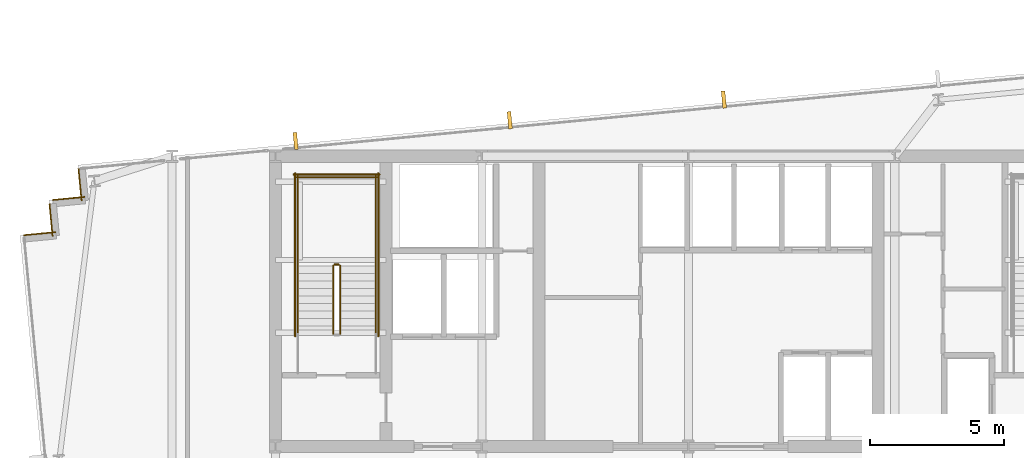
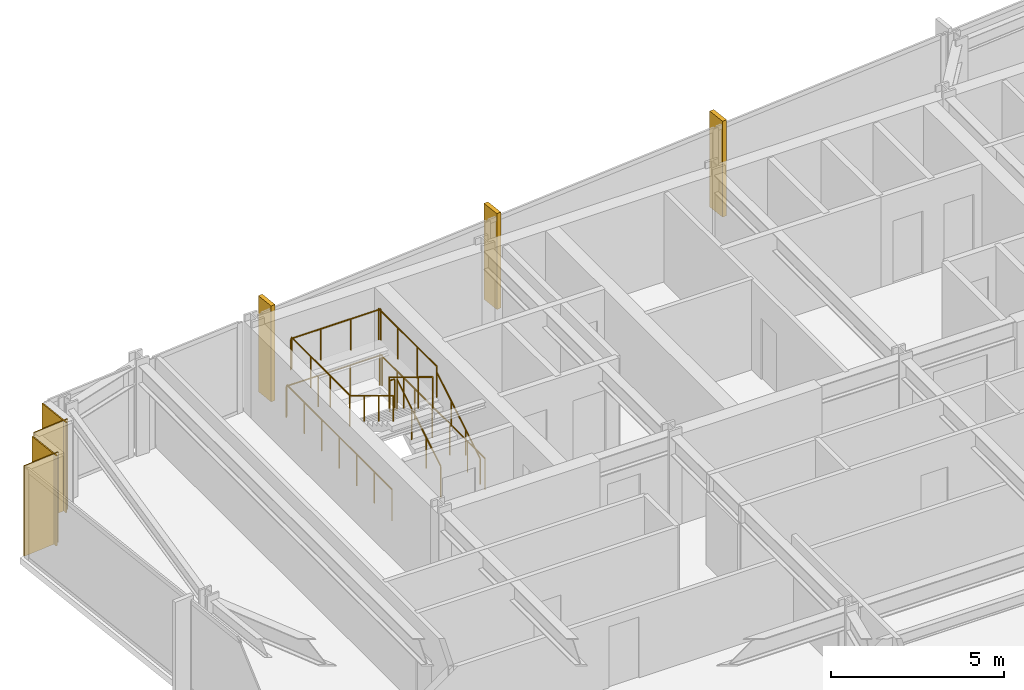
# One storey, part 31 of 32: 11 railings, 4 coverings, 3 shading devices.
"""IFC4 building model written with IfcOpenShell, lengths in metres."""

from ifc_helpers import new_model, si_unit, direction, frame, frame_2d, origin, origin_2d, place, context, subcontext, project, spatial, rectangle, circle, extrude, material, layer, layer_set, type_object, element, save


model = new_model("IFC4")

# Units and contexts
model_context = context("Model", 3, precision=1e-05, world=origin(), true_north=direction((0.0, 1.0)))
body_context = subcontext(model_context, "Body", "Model", "MODEL_VIEW")
ifc_project = project(units=[si_unit("LENGTHUNIT", "METRE"), si_unit("AREAUNIT", "SQUARE_METRE"), si_unit("VOLUMEUNIT", "CUBIC_METRE"), si_unit("PLANEANGLEUNIT", "RADIAN"), si_unit("MASSUNIT", "GRAM", prefix="KILO")], contexts=[model_context])

# Site, building, storey
site_placement = place(None, origin())
site = spatial("IfcSite", under=ifc_project, at=site_placement, CompositionType="ELEMENT")
building_placement = place(site_placement, origin())
building = spatial("IfcBuilding", under=site, at=building_placement, Name="Yelkora Congress Tower", CompositionType="ELEMENT")
storey_placement = place(building_placement, frame((0.0, 0.0, 116.89990234375)))
storey = spatial("IfcBuildingStorey", under=building, at=storey_placement, Name="L31", CompositionType="ELEMENT", Elevation=116.89990234375)

# Coverings
ifc_material_1 = material(Name="Anatolian bush-hammered limestone", Category="masonry")
ifc_layer_1 = layer(ifc_material_1, 0.0400390625)
ifc_layer_set_1 = layer_set([ifc_layer_1], Name="Anatolian bush-hammered limestone")
covering_type = type_object("IfcCoveringType", Name="COV-CLAD-SPANDREL-40", PredefinedType="CLADDING", material=ifc_layer_set_1)
for number, where, z_axis, x_axis, name in (
    (1, (13.677978515625, 43.260986328125, 0.0), (0.0, 0.0, 1.0), (0.995397091755, 0.095836473879, 0.0), "L31 Anatolian Limestone Cladding EW-L31-SR06"),
    (2, (14.7509765625, 43.228759765625, 0.0), (0.0, 0.0, 1.0), (-0.095836473879, 0.995397091755, 0.0), "L31 Anatolian Limestone Cladding EW-L31-SR07"),
):
    element("IfcCovering", number, at=place(storey_placement, frame(where, z_axis=z_axis, x_axis=x_axis)), inside=storey, type_object=covering_type, Name=name, PredefinedType="CLADDING", context=body_context, shape_type="SweptSolid", body=[
        extrude(rectangle(XDim=1.199951171875, YDim=0.0400390625, at=frame_2d((0.60009765625, 0.0))), origin(), (0.0, 0.0, 1.0), 3.18017578125),
    ])
for number, where, z_axis, x_axis, name in (
    (3, (14.75732421875, 44.570556640625, 0.0), (0.0, 0.0, 1.0), (0.995398960025, 0.095817067274, 0.0), "L31 Anatolian Limestone Cladding EW-L31-SR08"),
    (4, (15.830322265625, 44.5380859375, 0.0), (0.0, 0.0, 1.0), (-0.095817067274, 0.995398960025, 0.0), "L31 Anatolian Limestone Cladding EW-L31-SR09"),
):
    element("IfcCovering", number, at=place(storey_placement, frame(where, z_axis=z_axis, x_axis=x_axis)), inside=storey, type_object=covering_type, Name=name, PredefinedType="CLADDING", context=body_context, shape_type="SweptSolid", body=[
        extrude(rectangle(XDim=1.2001953125, YDim=0.0400390625, at=frame_2d((0.60009765625, 0.0))), origin(), (0.0, 0.0, 1.0), 3.18017578125),
    ])

# Railings
ifc_material_2 = material(Name="Painted galvanised steel stair well guard with vertical infill", Category="steel")
ifc_layer_2 = layer(ifc_material_2, 0.06005859375)
ifc_layer_set_2 = layer_set([ifc_layer_2], Name="Painted galvanised steel stair well guard with vertical infill")
railing_type_1 = type_object("IfcRailingType", Name="RAIL-STAIR-GUARD-1120", PredefinedType="GUARDRAIL", material=ifc_layer_set_2)
railing_1_placement = place(storey_placement, frame((25.449951171875, 39.60009765625, 0.170166015625)))
element("IfcRailing", 5, at=railing_1_placement, inside=storey, type_object=railing_type_1, Name="ST-01 L31 Stair Well Guardrail 1", PredefinedType="GUARDRAIL", context=body_context, shape_type="SweptSolid", body=[
    extrude(circle(Radius=0.02392578125, at=origin_2d()), frame((0.0, 0.0, 1.09619140625), z_axis=(0.0, 0.85478489116, 0.518982456201), x_axis=(-1.0, 0.0, 0.0)), (0.0, 0.0, 1.0), 2.9482421875),
    extrude(circle(Radius=0.02099609375, at=origin_2d()), origin(), (0.0, 0.0, 1.0), 1.072021484375),
    extrude(circle(Radius=0.02099609375, at=origin_2d()), frame((0.0, 0.840087890625, 0.510009765625)), (0.0, 0.0, 1.0), 1.072021484375),
    extrude(circle(Radius=0.02099609375, at=origin_2d()), frame((0.0, 1.679931640625, 1.02001953125)), (0.0, 0.0, 1.0), 1.072021484375),
    extrude(circle(Radius=0.02099609375, at=origin_2d()), frame((0.0, 2.52001953125, 1.530029296875)), (0.0, 0.0, 1.0), 1.072021484375),
])
railing_2_placement = place(storey_placement, frame((25.39990234375, 42.169921875, 1.7001953125)))
element("IfcRailing", 6, at=railing_2_placement, inside=storey, type_object=railing_type_1, Name="ST-01 L31 Stair Well Guardrail 2", PredefinedType="GUARDRAIL", context=body_context, shape_type="SweptSolid", body=[
    extrude(circle(Radius=0.02392578125, at=origin_2d()), frame((0.0, 0.0, 1.09619140625), z_axis=(-1.0, 0.0, 0.0), x_axis=(0.0, -1.0, 0.0)), (0.0, 0.0, 1.0), 0.159912109375),
    extrude(circle(Radius=0.02099609375, at=origin_2d()), origin(), (0.0, 0.0, 1.0), 1.072021484375),
    extrude(circle(Radius=0.02099609375, at=origin_2d()), frame((-0.159912109375, 0.0, 0.0)), (0.0, 0.0, 1.0), 1.072021484375),
])
for number, where, name in (
    (7, (26.77001953125, 42.1201171875, 1.7001953125), "ST-01 L31 Stair Well Guardrail 3"),
    (8, (23.8701171875, 42.1201171875, 1.7001953125), "ST-01 L31 Stair Well Guardrail 4"),
):
    element("IfcRailing", number, at=place(storey_placement, frame(where)), inside=storey, type_object=railing_type_1, Name=name, PredefinedType="GUARDRAIL", context=body_context, shape_type="SweptSolid", body=[
        extrude(circle(Radius=0.02392578125, at=origin_2d()), frame((0.0, 0.0, 1.09619140625), z_axis=(0.0, 1.0, 0.0), x_axis=(-1.0, 0.0, 0.0)), (0.0, 0.0, 1.0), 3.349853515625),
        extrude(circle(Radius=0.02099609375, at=origin_2d()), origin(), (0.0, 0.0, 1.0), 1.072021484375),
        extrude(circle(Radius=0.02099609375, at=origin_2d()), frame((0.0, 1.11669921875, 0.0)), (0.0, 0.0, 1.0), 1.072021484375),
        extrude(circle(Radius=0.02099609375, at=origin_2d()), frame((0.0, 2.233154296875, 0.0)), (0.0, 0.0, 1.0), 1.072021484375),
        extrude(circle(Radius=0.02099609375, at=origin_2d()), frame((0.0, 3.349853515625, 0.0)), (0.0, 0.0, 1.0), 1.072021484375),
    ])
railing_3_placement = place(storey_placement, frame((26.820068359375, 45.419921875, 1.7001953125)))
element("IfcRailing", 9, at=railing_3_placement, inside=storey, type_object=railing_type_1, Name="ST-01 L31 Stair Well Guardrail 5", PredefinedType="GUARDRAIL", context=body_context, shape_type="SweptSolid", body=[
    extrude(circle(Radius=0.02392578125, at=origin_2d()), frame((0.0, 0.0, 1.09619140625), z_axis=(-1.0, 0.0, 0.0), x_axis=(0.0, -1.0, 0.0)), (0.0, 0.0, 1.0), 3.0),
    extrude(circle(Radius=0.02099609375, at=origin_2d()), origin(), (0.0, 0.0, 1.0), 1.072021484375),
    extrude(circle(Radius=0.02099609375, at=origin_2d()), frame((-1.0, 0.0, 0.0)), (0.0, 0.0, 1.0), 1.072021484375),
    extrude(circle(Radius=0.02099609375, at=origin_2d()), frame((-2.0, 0.0, 0.0)), (0.0, 0.0, 1.0), 1.072021484375),
    extrude(circle(Radius=0.02099609375, at=origin_2d()), frame((-3.0, 0.0, 0.0)), (0.0, 0.0, 1.0), 1.072021484375),
])
railing_4_placement = place(storey_placement, frame((25.18994140625, 42.1201171875, 1.8701171875)))
element("IfcRailing", 10, at=railing_4_placement, inside=storey, type_object=railing_type_1, Name="ST-01 L31 Stair Well Guardrail 6", PredefinedType="GUARDRAIL", context=body_context, shape_type="SweptSolid", body=[
    extrude(circle(Radius=0.02392578125, at=origin_2d()), frame((0.0, 0.0, 1.09619140625), z_axis=(0.0, -0.85478489116, 0.518982456201), x_axis=(1.0, 0.0, 0.0)), (0.0, 0.0, 1.0), 2.9482421875),
    extrude(circle(Radius=0.02099609375, at=origin_2d()), origin(), (0.0, 0.0, 1.0), 1.072021484375),
    extrude(circle(Radius=0.02099609375, at=origin_2d()), frame((0.0, -0.840087890625, 0.510009765625)), (0.0, 0.0, 1.0), 1.072021484375),
    extrude(circle(Radius=0.02099609375, at=origin_2d()), frame((0.0, -1.679931640625, 1.02001953125)), (0.0, 0.0, 1.0), 1.072021484375),
    extrude(circle(Radius=0.02099609375, at=origin_2d()), frame((0.0, -2.52001953125, 1.530029296875)), (0.0, 0.0, 1.0), 1.072021484375),
])
for number, where, name in (
    (11, (26.8701171875, 39.5, 0.0), "ST-01 L31 Stair Well Guardrail 10"),
    (12, (23.77001953125, 39.5, 0.0), "ST-01 L31 Stair Well Guardrail 11"),
):
    element("IfcRailing", number, at=place(storey_placement, frame(where)), inside=storey, type_object=railing_type_1, Name=name, PredefinedType="GUARDRAIL", context=body_context, shape_type="SweptSolid", body=[
        extrude(circle(Radius=0.02392578125, at=origin_2d()), frame((0.0, 0.0, 1.09619140625), z_axis=(0.0, 1.0, 0.0), x_axis=(-1.0, 0.0, 0.0)), (0.0, 0.0, 1.0), 6.070068359375),
        extrude(circle(Radius=0.02099609375, at=origin_2d()), origin(), (0.0, 0.0, 1.0), 1.072021484375),
        extrude(circle(Radius=0.02099609375, at=origin_2d()), frame((0.0, 1.01171875, 0.0)), (0.0, 0.0, 1.0), 1.072021484375),
        extrude(circle(Radius=0.02099609375, at=origin_2d()), frame((0.0, 2.0234375, 0.0)), (0.0, 0.0, 1.0), 1.072021484375),
        extrude(circle(Radius=0.02099609375, at=origin_2d()), frame((0.0, 3.03515625, 0.0)), (0.0, 0.0, 1.0), 1.072021484375),
        extrude(circle(Radius=0.02099609375, at=origin_2d()), frame((0.0, 4.046630859375, 0.0)), (0.0, 0.0, 1.0), 1.072021484375),
        extrude(circle(Radius=0.02099609375, at=origin_2d()), frame((0.0, 5.058349609375, 0.0)), (0.0, 0.0, 1.0), 1.072021484375),
        extrude(circle(Radius=0.02099609375, at=origin_2d()), frame((0.0, 6.070068359375, 0.0)), (0.0, 0.0, 1.0), 1.072021484375),
    ])
railing_5_placement = place(storey_placement, frame((26.919921875, 45.52001953125, 0.0)))
element("IfcRailing", 13, at=railing_5_placement, inside=storey, type_object=railing_type_1, Name="ST-01 L31 Stair Well Guardrail 12", PredefinedType="GUARDRAIL", context=body_context, shape_type="SweptSolid", body=[
    extrude(circle(Radius=0.02392578125, at=origin_2d()), frame((0.0, 0.0, 1.09619140625), z_axis=(-1.0, 0.0, 0.0), x_axis=(0.0, -1.0, 0.0)), (0.0, 0.0, 1.0), 3.199951171875),
    extrude(circle(Radius=0.02099609375, at=origin_2d()), origin(), (0.0, 0.0, 1.0), 1.072021484375),
    extrude(circle(Radius=0.02099609375, at=origin_2d()), frame((-1.066650390625, 0.0, 0.0)), (0.0, 0.0, 1.0), 1.072021484375),
    extrude(circle(Radius=0.02099609375, at=origin_2d()), frame((-2.13330078125, 0.0, 0.0)), (0.0, 0.0, 1.0), 1.072021484375),
    extrude(circle(Radius=0.02099609375, at=origin_2d()), frame((-3.199951171875, 0.0, 0.0)), (0.0, 0.0, 1.0), 1.072021484375),
])
ifc_material_3 = material(Name="Brushed stainless steel tubular handrail", Category="steel")
ifc_layer_3 = layer(ifc_material_3, 0.050048828125)
ifc_layer_set_3 = layer_set([ifc_layer_3], Name="Brushed stainless steel tubular handrail")
railing_type_2 = type_object("IfcRailingType", Name="RAIL-STAIR-HAND-920", PredefinedType="HANDRAIL", material=ifc_layer_set_3)
railing_6_placement = place(storey_placement, frame((26.77001953125, 39.60009765625, 0.170166015625)))
element("IfcRailing", 14, at=railing_6_placement, inside=storey, type_object=railing_type_2, Name="ST-01 L31 Pitch Handrail 1", PredefinedType="HANDRAIL", context=body_context, shape_type="SweptSolid", body=[
    extrude(circle(Radius=0.02392578125, at=origin_2d()), frame((0.0, 0.0, 0.89599609375), z_axis=(0.0, 0.85478489116, 0.518982456201), x_axis=(-1.0, 0.0, 0.0)), (0.0, 0.0, 1.0), 2.9482421875),
    extrude(circle(Radius=0.02099609375, at=origin_2d()), origin(), (0.0, 0.0, 1.0), 0.871826171875),
    extrude(circle(Radius=0.02099609375, at=origin_2d()), frame((0.0, 0.840087890625, 0.510009765625)), (0.0, 0.0, 1.0), 0.871826171875),
    extrude(circle(Radius=0.02099609375, at=origin_2d()), frame((0.0, 1.679931640625, 1.02001953125)), (0.0, 0.0, 1.0), 0.871826171875),
    extrude(circle(Radius=0.02099609375, at=origin_2d()), frame((0.0, 2.52001953125, 1.530029296875)), (0.0, 0.0, 1.0), 0.871826171875),
])
railing_7_placement = place(storey_placement, frame((23.8701171875, 42.1201171875, 1.8701171875)))
element("IfcRailing", 15, at=railing_7_placement, inside=storey, type_object=railing_type_2, Name="ST-01 L31 Pitch Handrail 2", PredefinedType="HANDRAIL", context=body_context, shape_type="SweptSolid", body=[
    extrude(circle(Radius=0.02392578125, at=origin_2d()), frame((0.0, 0.0, 0.89599609375), z_axis=(0.0, -0.85478489116, 0.518982456201), x_axis=(1.0, 0.0, 0.0)), (0.0, 0.0, 1.0), 2.9482421875),
    extrude(circle(Radius=0.02099609375, at=origin_2d()), origin(), (0.0, 0.0, 1.0), 0.871826171875),
    extrude(circle(Radius=0.02099609375, at=origin_2d()), frame((0.0, -0.840087890625, 0.510009765625)), (0.0, 0.0, 1.0), 0.871826171875),
    extrude(circle(Radius=0.02099609375, at=origin_2d()), frame((0.0, -1.679931640625, 1.02001953125)), (0.0, 0.0, 1.0), 0.871826171875),
    extrude(circle(Radius=0.02099609375, at=origin_2d()), frame((0.0, -2.52001953125, 1.530029296875)), (0.0, 0.0, 1.0), 0.871826171875),
])

# Shading devices
ifc_material_4 = material(Name="Champagne anodised aluminium", Category="aluminium")
ifc_layer_4 = layer(ifc_material_4, 3.39990234375)
ifc_layer_set_4 = layer_set([ifc_layer_4], Name="Champagne anodised aluminium")
shading_device_type = type_object("IfcShadingDeviceType", Name="SHD-FIN-ALU-640", PredefinedType="USERDEFINED", material=ifc_layer_set_4)
for number, where, z_axis, x_axis, name in (
    (16, (23.791015625, 46.771484375, -0.02978515625), (0.0, 0.0, 1.0), (0.995396198367, 0.09584575252, 0.0), "L31 Vertical Anodised Solar Fin 10-1"),
    (17, (31.7568359375, 47.53857421875, -0.02978515625), (0.0, 0.0, 1.0), (0.995396198367, 0.09584575252, 0.0), "L31 Vertical Anodised Solar Fin 10-2"),
    (18, (39.722900390625, 48.3056640625, -0.02978515625), (0.0, 0.0, 1.0), (0.995396198367, 0.09584575252, 0.0), "L31 Vertical Anodised Solar Fin 10-3"),
):
    element("IfcShadingDevice", number, at=place(storey_placement, frame(where, z_axis=z_axis, x_axis=x_axis)), inside=storey, type_object=shading_device_type, Name=name, ObjectType="FIN", PredefinedType="USERDEFINED", context=body_context, shape_type="SweptSolid", body=[
        extrude(rectangle(XDim=0.139892578125, YDim=0.639892578125, at=origin_2d()), origin(), (0.0, 0.0, 1.0), 3.3798828125),
    ])

save(model, "model.ifc")
